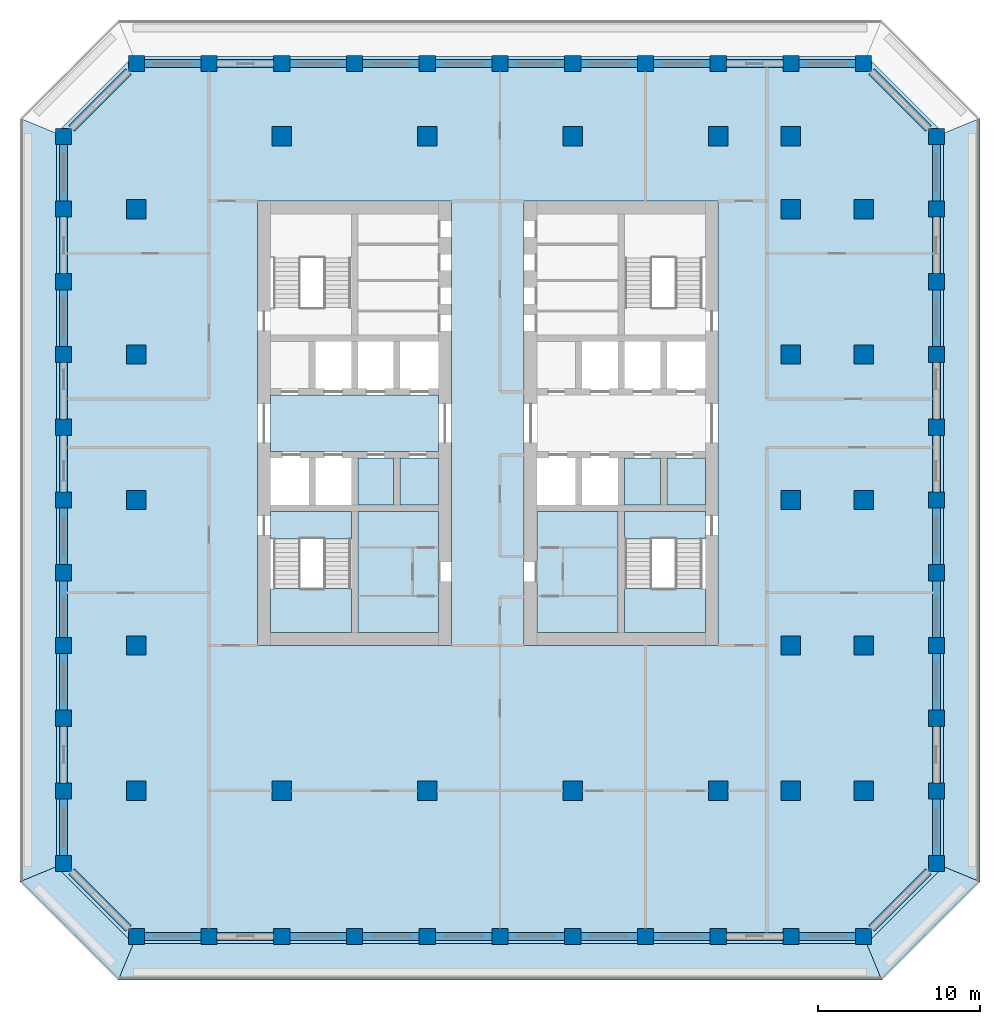
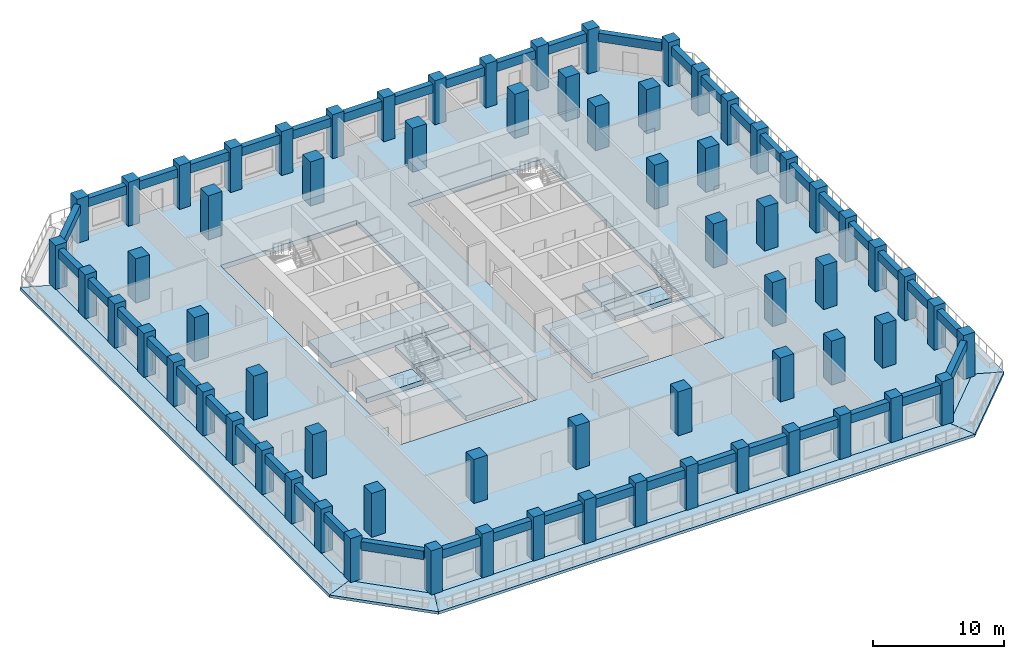
# One storey, part 1 of 16: 68 columns, 44 beams, 17 slabs, 2 elements without a shape of their own.
"""IFC4 building model written with IfcOpenShell, lengths in metres."""

from ifc_helpers import new_model, si_unit, direction, frame, origin, origin_2d, place, context, subcontext, project, spatial, polyline, rectangle, outline, extrude, material, layer, layer_set, material_profile, profile_set, type_object, element, aggregate, save


model = new_model("IFC4")

# Units and contexts
model_context = context("Model", 3, precision=1e-05, world=origin(), true_north=direction((0.0, 1.0)))
body_context = subcontext(model_context, "Body", "Model", "MODEL_VIEW")
ifc_project = project(units=[si_unit("LENGTHUNIT", "METRE"), si_unit("AREAUNIT", "SQUARE_METRE"), si_unit("VOLUMEUNIT", "CUBIC_METRE"), si_unit("PLANEANGLEUNIT", "RADIAN"), si_unit("MASSUNIT", "GRAM", prefix="KILO")], contexts=[model_context])

# Site, building, storey
site_placement = place(None, origin())
site = spatial("IfcSite", under=ifc_project, at=site_placement, CompositionType="ELEMENT")
building_placement = place(site_placement, origin())
building = spatial("IfcBuilding", under=site, at=building_placement, Name="Corbel Stack Research Tower", CompositionType="ELEMENT")
storey_placement = place(building_placement, frame((0.0, 0.0, 195.60009765625)))
storey = spatial("IfcBuildingStorey", under=building, at=storey_placement, Name="L44", CompositionType="ELEMENT", Elevation=195.60009765625)

# Columns
ifc_material_1 = material(Name="Concrete C60/75", Category="concrete")
ifc_material_profile_1 = material_profile(ifc_material_1, rectangle(XDim=1.0, YDim=1.0, at=origin_2d()), Name="RC 1000 x 1000")
ifc_profile_set_1 = profile_set([ifc_material_profile_1], Name="Concrete C60/75")
column_type_1 = type_object("IfcColumnType", Name="C-1000-60", PredefinedType="COLUMN", material=ifc_profile_set_1)
for number, where, z_axis, x_axis, name in (
    (1, (-22.5, -22.5, 0.0), (0.0, 0.0, 1.0), (1.0, 0.0, 0.0), "Column 3/C L44"),
    (2, (-22.5, -18.0, 0.0), (0.0, 0.0, 1.0), (1.0, 0.0, 0.0), "Column 3/D L44"),
    (3, (-22.5, -13.5, 0.0), (0.0, 0.0, 1.0), (1.0, 0.0, 0.0), "Column 3/E L44"),
    (4, (-22.5, -9.0, 0.0), (0.0, 0.0, 1.0), (1.0, 0.0, 0.0), "Column 3/F L44"),
    (5, (-22.5, -4.5, 0.0), (0.0, 0.0, 1.0), (1.0, 0.0, 0.0), "Column 3/G L44"),
    (6, (-22.5, 0.0, 0.0), (0.0, 0.0, 1.0), (1.0, 0.0, 0.0), "Column 3/H L44"),
    (7, (-22.5, 4.5, 0.0), (0.0, 0.0, 1.0), (1.0, 0.0, 0.0), "Column 3/J L44"),
    (8, (-22.5, 9.0, 0.0), (0.0, 0.0, 1.0), (1.0, 0.0, 0.0), "Column 3/K L44"),
    (9, (-22.5, 13.5, 0.0), (0.0, 0.0, 1.0), (1.0, 0.0, 0.0), "Column 3/L L44"),
    (10, (-22.5, 18.0, 0.0), (0.0, 0.0, 1.0), (1.0, 0.0, 0.0), "Column 3/M L44"),
    (11, (-22.5, 22.5, 0.0), (0.0, 0.0, 1.0), (1.0, 0.0, 0.0), "Column 3/N L44"),
    (12, (-18.0, -27.0, 0.0), (0.0, 0.0, 1.0), (1.0, 0.0, 0.0), "Column 4/B L44"),
    (13, (-18.0, 27.0, 0.0), (0.0, 0.0, 1.0), (1.0, 0.0, 0.0), "Column 4/P L44"),
    (14, (-13.5, -27.0, 0.0), (0.0, 0.0, 1.0), (1.0, 0.0, 0.0), "Column 5/B L44"),
    (15, (-13.5, 27.0, 0.0), (0.0, 0.0, 1.0), (1.0, 0.0, 0.0), "Column 5/P L44"),
    (16, (-9.0, -27.0, 0.0), (0.0, 0.0, 1.0), (1.0, 0.0, 0.0), "Column 6/B L44"),
    (17, (-9.0, 27.0, 0.0), (0.0, 0.0, 1.0), (1.0, 0.0, 0.0), "Column 6/P L44"),
    (18, (-4.5, -27.0, 0.0), (0.0, 0.0, 1.0), (1.0, 0.0, 0.0), "Column 7/B L44"),
    (19, (-4.5, 27.0, 0.0), (0.0, 0.0, 1.0), (1.0, 0.0, 0.0), "Column 7/P L44"),
    (20, (0.0, -27.0, 0.0), (0.0, 0.0, 1.0), (1.0, 0.0, 0.0), "Column 8/B L44"),
    (21, (0.0, 27.0, 0.0), (0.0, 0.0, 1.0), (1.0, 0.0, 0.0), "Column 8/P L44"),
    (22, (4.5, -27.0, 0.0), (0.0, 0.0, 1.0), (1.0, 0.0, 0.0), "Column 9/B L44"),
    (23, (4.5, 27.0, 0.0), (0.0, 0.0, 1.0), (1.0, 0.0, 0.0), "Column 9/P L44"),
    (24, (9.0, -27.0, 0.0), (0.0, 0.0, 1.0), (1.0, 0.0, 0.0), "Column 10/B L44"),
    (25, (9.0, 27.0, 0.0), (0.0, 0.0, 1.0), (1.0, 0.0, 0.0), "Column 10/P L44"),
    (26, (13.5, -27.0, 0.0), (0.0, 0.0, 1.0), (1.0, 0.0, 0.0), "Column 11/B L44"),
    (27, (13.5, 27.0, 0.0), (0.0, 0.0, 1.0), (1.0, 0.0, 0.0), "Column 11/P L44"),
    (28, (18.0, -27.0, 0.0), (0.0, 0.0, 1.0), (1.0, 0.0, 0.0), "Column 12/B L44"),
    (29, (18.0, 27.0, 0.0), (0.0, 0.0, 1.0), (1.0, 0.0, 0.0), "Column 12/P L44"),
    (30, (22.5, -27.0, 0.0), (0.0, 0.0, 1.0), (1.0, 0.0, 0.0), "Column 13/B L44"),
    (31, (22.5, 27.0, 0.0), (0.0, 0.0, 1.0), (1.0, 0.0, 0.0), "Column 13/P L44"),
    (32, (27.0, -27.0, 0.0), (0.0, 0.0, 1.0), (1.0, 0.0, 0.0), "Column 14/B L44"),
    (33, (27.0, 27.0, 0.0), (0.0, 0.0, 1.0), (1.0, 0.0, 0.0), "Column 14/P L44"),
    (34, (31.5, -22.5, 0.0), (0.0, 0.0, 1.0), (1.0, 0.0, 0.0), "Column 15/C L44"),
    (35, (31.5, -18.0, 0.0), (0.0, 0.0, 1.0), (1.0, 0.0, 0.0), "Column 15/D L44"),
    (36, (31.5, -13.5, 0.0), (0.0, 0.0, 1.0), (1.0, 0.0, 0.0), "Column 15/E L44"),
    (37, (31.5, -9.0, 0.0), (0.0, 0.0, 1.0), (1.0, 0.0, 0.0), "Column 15/F L44"),
    (38, (31.5, -4.5, 0.0), (0.0, 0.0, 1.0), (1.0, 0.0, 0.0), "Column 15/G L44"),
    (39, (31.5, 0.0, 0.0), (0.0, 0.0, 1.0), (1.0, 0.0, 0.0), "Column 15/H L44"),
    (40, (31.5, 4.5, 0.0), (0.0, 0.0, 1.0), (1.0, 0.0, 0.0), "Column 15/J L44"),
    (41, (31.5, 9.0, 0.0), (0.0, 0.0, 1.0), (1.0, 0.0, 0.0), "Column 15/K L44"),
    (42, (31.5, 13.5, 0.0), (0.0, 0.0, 1.0), (1.0, 0.0, 0.0), "Column 15/L L44"),
    (43, (31.5, 18.0, 0.0), (0.0, 0.0, 1.0), (1.0, 0.0, 0.0), "Column 15/M L44"),
    (44, (31.5, 22.5, 0.0), (0.0, 0.0, 1.0), (1.0, 0.0, 0.0), "Column 15/N L44"),
):
    element("IfcColumn", number, at=place(storey_placement, frame(where, z_axis=z_axis, x_axis=x_axis)), inside=storey, type_object=column_type_1, Name=name, PredefinedType="COLUMN", context=body_context, shape_type="SweptSolid", body=[
        extrude(rectangle(XDim=1.0, YDim=1.0, at=origin_2d()), origin(), (0.0, 0.0, 1.0), 4.099853515625),
    ])
ifc_material_2 = material(Name="Concrete C60/75", Category="concrete")
ifc_material_profile_2 = material_profile(ifc_material_2, rectangle(XDim=1.199951171875, YDim=1.199951171875, at=origin_2d()), Name="RC 1200 x 1200")
ifc_profile_set_2 = profile_set([ifc_material_profile_2], Name="Concrete C60/75")
column_type_2 = type_object("IfcColumnType", Name="C-1200-60", PredefinedType="COLUMN", material=ifc_profile_set_2)
for number, where, z_axis, x_axis, name in (
    (45, (-18.0, -18.0, 0.0), (0.0, 0.0, 1.0), (1.0, 0.0, 0.0), "Column 4/D L44"),
    (46, (-18.0, -9.0, 0.0), (0.0, 0.0, 1.0), (1.0, 0.0, 0.0), "Column 4/F L44"),
    (47, (-18.0, 0.0, 0.0), (0.0, 0.0, 1.0), (1.0, 0.0, 0.0), "Column 4/H L44"),
    (48, (-18.0, 9.0, 0.0), (0.0, 0.0, 1.0), (1.0, 0.0, 0.0), "Column 4/K L44"),
    (49, (-18.0, 18.0, 0.0), (0.0, 0.0, 1.0), (1.0, 0.0, 0.0), "Column 4/M L44"),
    (50, (-9.0, -18.0, 0.0), (0.0, 0.0, 1.0), (1.0, 0.0, 0.0), "Column 6/D L44"),
    (51, (-9.0, 22.5, 0.0), (0.0, 0.0, 1.0), (1.0, 0.0, 0.0), "Column 6/N L44"),
    (52, (0.0, -18.0, 0.0), (0.0, 0.0, 1.0), (1.0, 0.0, 0.0), "Column 8/D L44"),
    (53, (0.0, 22.5, 0.0), (0.0, 0.0, 1.0), (1.0, 0.0, 0.0), "Column 8/N L44"),
    (54, (9.0, -18.0, 0.0), (0.0, 0.0, 1.0), (1.0, 0.0, 0.0), "Column 10/D L44"),
    (55, (9.0, 22.5, 0.0), (0.0, 0.0, 1.0), (1.0, 0.0, 0.0), "Column 10/N L44"),
    (56, (18.0, -18.0, 0.0), (0.0, 0.0, 1.0), (1.0, 0.0, 0.0), "Column 12/D L44"),
    (57, (18.0, 22.5, 0.0), (0.0, 0.0, 1.0), (1.0, 0.0, 0.0), "Column 12/N L44"),
    (58, (22.5, -18.0, 0.0), (0.0, 0.0, 1.0), (1.0, 0.0, 0.0), "Column 13/D L44"),
    (59, (22.5, -9.0, 0.0), (0.0, 0.0, 1.0), (1.0, 0.0, 0.0), "Column 13/F L44"),
    (60, (22.5, 0.0, 0.0), (0.0, 0.0, 1.0), (1.0, 0.0, 0.0), "Column 13/H L44"),
    (61, (22.5, 9.0, 0.0), (0.0, 0.0, 1.0), (1.0, 0.0, 0.0), "Column 13/K L44"),
    (62, (22.5, 18.0, 0.0), (0.0, 0.0, 1.0), (1.0, 0.0, 0.0), "Column 13/M L44"),
    (63, (22.5, 22.5, 0.0), (0.0, 0.0, 1.0), (1.0, 0.0, 0.0), "Column 13/N L44"),
    (64, (27.0, -18.0, 0.0), (0.0, 0.0, 1.0), (1.0, 0.0, 0.0), "Column 14/D L44"),
    (65, (27.0, -9.0, 0.0), (0.0, 0.0, 1.0), (1.0, 0.0, 0.0), "Column 14/F L44"),
    (66, (27.0, 0.0, 0.0), (0.0, 0.0, 1.0), (1.0, 0.0, 0.0), "Column 14/H L44"),
    (67, (27.0, 9.0, 0.0), (0.0, 0.0, 1.0), (1.0, 0.0, 0.0), "Column 14/K L44"),
    (68, (27.0, 18.0, 0.0), (0.0, 0.0, 1.0), (1.0, 0.0, 0.0), "Column 14/M L44"),
):
    element("IfcColumn", number, at=place(storey_placement, frame(where, z_axis=z_axis, x_axis=x_axis)), inside=storey, type_object=column_type_2, Name=name, PredefinedType="COLUMN", context=body_context, shape_type="SweptSolid", body=[
        extrude(rectangle(XDim=1.199951171875, YDim=1.199951171875, at=origin_2d()), origin(), (0.0, 0.0, 1.0), 4.099853515625),
    ])

# Beams
ifc_material_3 = material(Name="Concrete C60/75", Category="concrete")
ifc_material_profile_3 = material_profile(ifc_material_3, rectangle(XDim=0.5, YDim=0.800048828125, at=origin_2d()), Name="RC 500 x 800")
ifc_profile_set_3 = profile_set([ifc_material_profile_3], Name="Concrete C60/75")
beam_type = type_object("IfcBeamType", Name="SB-500-800-450", PredefinedType="SPANDREL", material=ifc_profile_set_3)
for number, where, z_axis, x_axis, name in (
    (69, (-17.5, -27.0, 3.25), (1.0, 0.0, 0.0), (0.0, 1.0, 0.0), "Spandrel beam L44-01"),
    (70, (-13.0, -27.0, 3.25), (1.0, 0.0, 0.0), (0.0, 1.0, 0.0), "Spandrel beam L44-02"),
    (71, (-8.5, -27.0, 3.25), (1.0, 0.0, 0.0), (0.0, 1.0, 0.0), "Spandrel beam L44-03"),
    (72, (-4.0, -27.0, 3.25), (1.0, 0.0, 0.0), (0.0, 1.0, 0.0), "Spandrel beam L44-04"),
    (73, (0.5, -27.0, 3.25), (1.0, 0.0, 0.0), (0.0, 1.0, 0.0), "Spandrel beam L44-05"),
    (74, (5.0, -27.0, 3.25), (1.0, 0.0, 0.0), (0.0, 1.0, 0.0), "Spandrel beam L44-06"),
    (75, (9.5, -27.0, 3.25), (1.0, 0.0, 0.0), (0.0, 1.0, 0.0), "Spandrel beam L44-07"),
    (76, (14.0, -27.0, 3.25), (1.0, 0.0, 0.0), (0.0, 1.0, 0.0), "Spandrel beam L44-08"),
    (77, (18.5, -27.0, 3.25), (1.0, 0.0, 0.0), (0.0, 1.0, 0.0), "Spandrel beam L44-09"),
    (78, (23.0, -27.0, 3.25), (1.0, 0.0, 0.0), (0.0, 1.0, 0.0), "Spandrel beam L44-10"),
):
    element("IfcBeam", number, at=place(storey_placement, frame(where, z_axis=z_axis, x_axis=x_axis)), inside=storey, type_object=beam_type, Name=name, PredefinedType="SPANDREL", context=body_context, shape_type="SweptSolid", body=[
        extrude(rectangle(XDim=0.5, YDim=0.800048828125, at=origin_2d()), origin(), (0.0, 0.0, 1.0), 3.5),
    ])
beam_1_placement = place(storey_placement, frame((27.5, -26.5, 3.25), z_axis=(0.707106781187, 0.707106781187, 0.0), x_axis=(-0.707106781187, 0.707106781187, 0.0)))
element("IfcBeam", 79, at=beam_1_placement, inside=storey, type_object=beam_type, Name="Spandrel beam L44-11", PredefinedType="SPANDREL", context=body_context, shape_type="SweptSolid", body=[
    extrude(rectangle(XDim=0.5, YDim=0.800048828125, at=origin_2d()), origin(), (0.0, 0.0, 1.0), 4.94970703125),
])
for number, where, z_axis, x_axis, name in (
    (80, (31.5, -22.0, 3.25), (0.0, 1.0, 0.0), (-1.0, 0.0, 0.0), "Spandrel beam L44-12"),
    (81, (31.5, -17.5, 3.25), (0.0, 1.0, 0.0), (-1.0, 0.0, 0.0), "Spandrel beam L44-13"),
    (82, (31.5, -13.0, 3.25), (0.0, 1.0, 0.0), (-1.0, 0.0, 0.0), "Spandrel beam L44-14"),
    (83, (31.5, -8.5, 3.25), (0.0, 1.0, 0.0), (-1.0, 0.0, 0.0), "Spandrel beam L44-15"),
    (84, (31.5, -4.0, 3.25), (0.0, 1.0, 0.0), (-1.0, 0.0, 0.0), "Spandrel beam L44-16"),
    (85, (31.5, 0.5, 3.25), (0.0, 1.0, 0.0), (-1.0, 0.0, 0.0), "Spandrel beam L44-17"),
    (86, (31.5, 5.0, 3.25), (0.0, 1.0, 0.0), (-1.0, 0.0, 0.0), "Spandrel beam L44-18"),
    (87, (31.5, 9.5, 3.25), (0.0, 1.0, 0.0), (-1.0, 0.0, 0.0), "Spandrel beam L44-19"),
    (88, (31.5, 14.0, 3.25), (0.0, 1.0, 0.0), (-1.0, 0.0, 0.0), "Spandrel beam L44-20"),
    (89, (31.5, 18.5, 3.25), (0.0, 1.0, 0.0), (-1.0, 0.0, 0.0), "Spandrel beam L44-21"),
):
    element("IfcBeam", number, at=place(storey_placement, frame(where, z_axis=z_axis, x_axis=x_axis)), inside=storey, type_object=beam_type, Name=name, PredefinedType="SPANDREL", context=body_context, shape_type="SweptSolid", body=[
        extrude(rectangle(XDim=0.5, YDim=0.800048828125, at=origin_2d()), origin(), (0.0, 0.0, 1.0), 3.5),
    ])
beam_2_placement = place(storey_placement, frame((31.0, 23.0, 3.25), z_axis=(-0.707106781187, 0.707106781187, 0.0), x_axis=(-0.707106781187, -0.707106781187, 0.0)))
element("IfcBeam", 90, at=beam_2_placement, inside=storey, type_object=beam_type, Name="Spandrel beam L44-22", PredefinedType="SPANDREL", context=body_context, shape_type="SweptSolid", body=[
    extrude(rectangle(XDim=0.5, YDim=0.800048828125, at=origin_2d()), origin(), (0.0, 0.0, 1.0), 4.94970703125),
])
for number, where, z_axis, x_axis, name in (
    (91, (26.5, 27.0, 3.25), (-1.0, 0.0, 0.0), (0.0, -1.0, 0.0), "Spandrel beam L44-23"),
    (92, (22.0, 27.0, 3.25), (-1.0, 0.0, 0.0), (0.0, -1.0, 0.0), "Spandrel beam L44-24"),
    (93, (17.5, 27.0, 3.25), (-1.0, 0.0, 0.0), (0.0, -1.0, 0.0), "Spandrel beam L44-25"),
    (94, (13.0, 27.0, 3.25), (-1.0, 0.0, 0.0), (0.0, -1.0, 0.0), "Spandrel beam L44-26"),
    (95, (8.5, 27.0, 3.25), (-1.0, 0.0, 0.0), (0.0, -1.0, 0.0), "Spandrel beam L44-27"),
    (96, (4.0, 27.0, 3.25), (-1.0, 0.0, 0.0), (0.0, -1.0, 0.0), "Spandrel beam L44-28"),
    (97, (-0.5, 27.0, 3.25), (-1.0, 0.0, 0.0), (0.0, -1.0, 0.0), "Spandrel beam L44-29"),
    (98, (-5.0, 27.0, 3.25), (-1.0, 0.0, 0.0), (0.0, -1.0, 0.0), "Spandrel beam L44-30"),
    (99, (-9.5, 27.0, 3.25), (-1.0, 0.0, 0.0), (0.0, -1.0, 0.0), "Spandrel beam L44-31"),
    (100, (-14.0, 27.0, 3.25), (-1.0, 0.0, 0.0), (0.0, -1.0, 0.0), "Spandrel beam L44-32"),
):
    element("IfcBeam", number, at=place(storey_placement, frame(where, z_axis=z_axis, x_axis=x_axis)), inside=storey, type_object=beam_type, Name=name, PredefinedType="SPANDREL", context=body_context, shape_type="SweptSolid", body=[
        extrude(rectangle(XDim=0.5, YDim=0.800048828125, at=origin_2d()), origin(), (0.0, 0.0, 1.0), 3.5),
    ])
beam_3_placement = place(storey_placement, frame((-18.5, 26.5, 3.25), z_axis=(-0.707106781187, -0.707106781187, 0.0), x_axis=(0.707106781187, -0.707106781187, 0.0)))
element("IfcBeam", 101, at=beam_3_placement, inside=storey, type_object=beam_type, Name="Spandrel beam L44-33", PredefinedType="SPANDREL", context=body_context, shape_type="SweptSolid", body=[
    extrude(rectangle(XDim=0.5, YDim=0.800048828125, at=origin_2d()), origin(), (0.0, 0.0, 1.0), 4.94970703125),
])
for number, where, z_axis, x_axis, name in (
    (102, (-22.5, 22.0, 3.25), (0.0, -1.0, 0.0), (1.0, 0.0, 0.0), "Spandrel beam L44-34"),
    (103, (-22.5, 17.5, 3.25), (0.0, -1.0, 0.0), (1.0, 0.0, 0.0), "Spandrel beam L44-35"),
    (104, (-22.5, 13.0, 3.25), (0.0, -1.0, 0.0), (1.0, 0.0, 0.0), "Spandrel beam L44-36"),
    (105, (-22.5, 8.5, 3.25), (0.0, -1.0, 0.0), (1.0, 0.0, 0.0), "Spandrel beam L44-37"),
    (106, (-22.5, 4.0, 3.25), (0.0, -1.0, 0.0), (1.0, 0.0, 0.0), "Spandrel beam L44-38"),
    (107, (-22.5, -0.5, 3.25), (0.0, -1.0, 0.0), (1.0, 0.0, 0.0), "Spandrel beam L44-39"),
    (108, (-22.5, -5.0, 3.25), (0.0, -1.0, 0.0), (1.0, 0.0, 0.0), "Spandrel beam L44-40"),
    (109, (-22.5, -9.5, 3.25), (0.0, -1.0, 0.0), (1.0, 0.0, 0.0), "Spandrel beam L44-41"),
    (110, (-22.5, -14.0, 3.25), (0.0, -1.0, 0.0), (1.0, 0.0, 0.0), "Spandrel beam L44-42"),
    (111, (-22.5, -18.5, 3.25), (0.0, -1.0, 0.0), (1.0, 0.0, 0.0), "Spandrel beam L44-43"),
):
    element("IfcBeam", number, at=place(storey_placement, frame(where, z_axis=z_axis, x_axis=x_axis)), inside=storey, type_object=beam_type, Name=name, PredefinedType="SPANDREL", context=body_context, shape_type="SweptSolid", body=[
        extrude(rectangle(XDim=0.5, YDim=0.800048828125, at=origin_2d()), origin(), (0.0, 0.0, 1.0), 3.5),
    ])
beam_4_placement = place(storey_placement, frame((-22.0, -23.0, 3.25), z_axis=(0.707106781187, -0.707106781187, 0.0), x_axis=(0.707106781187, 0.707106781187, 0.0)))
element("IfcBeam", 112, at=beam_4_placement, inside=storey, type_object=beam_type, Name="Spandrel beam L44-44", PredefinedType="SPANDREL", context=body_context, shape_type="SweptSolid", body=[
    extrude(rectangle(XDim=0.5, YDim=0.800048828125, at=origin_2d()), origin(), (0.0, 0.0, 1.0), 4.94970703125),
])

# Slabs
ifc_material_4 = material(Name="Concrete C45/55", Category="concrete")
ifc_layer_1 = layer(ifc_material_4, 0.25)
ifc_layer_set_1 = layer_set([ifc_layer_1], Name="Concrete C45/55")
slab_type_1 = type_object("IfcSlabType", Name="PT balcony slab 250 C45/55", PredefinedType="FLOOR", material=ifc_layer_set_1)
slab_1_placement = place(storey_placement, frame((0.0, 0.0, -0.25)))
element("IfcSlab", 113, at=slab_1_placement, inside=storey, type_object=slab_type_1, Name="Loggia slab L44 S", PredefinedType="FLOOR", context=body_context, shape_type="SweptSolid", body=[
    extrude(outline(polyline([(27.20703125, -27.5), (26.5, -27.5), (26.5, -27.449951171875), (23.0, -27.449951171875), (23.0, -27.5), (22.0, -27.5), (22.0, -27.449951171875), (18.5, -27.449951171875), (18.5, -27.5), (17.5, -27.5), (17.5, -27.449951171875), (14.0, -27.449951171875), (14.0, -27.5), (13.0, -27.5), (13.0, -27.449951171875), (9.5, -27.449951171875), (9.5, -27.5), (8.5, -27.5), (8.5, -27.449951171875), (5.0, -27.449951171875), (5.0, -27.5), (4.0, -27.5), (4.0, -27.449951171875), (0.5, -27.449951171875), (0.5, -27.5), (-0.5, -27.5), (-0.5, -27.449951171875), (-4.0, -27.449951171875), (-4.0, -27.5), (-5.0, -27.5), (-5.0, -27.449951171875), (-8.5, -27.449951171875), (-8.5, -27.5), (-9.5, -27.5), (-9.5, -27.449951171875), (-13.0, -27.449951171875), (-13.0, -27.5), (-14.0, -27.5), (-14.0, -27.449951171875), (-17.5, -27.449951171875), (-17.5, -27.5), (-18.20703125, -27.5), (-19.118408203125, -29.699951171875), (28.118408203125, -29.699951171875), (27.20703125, -27.5)])), origin(), (0.0, 0.0, 1.0), 0.25),
])
slab_2_placement = place(storey_placement, frame((0.0, 0.0, -0.25)))
element("IfcSlab", 114, at=slab_2_placement, inside=storey, type_object=slab_type_1, Name="Loggia slab L44 SE", PredefinedType="FLOOR", context=body_context, shape_type="SweptSolid", body=[
    extrude(outline(polyline([(32.0, -22.70703125), (32.0, -23.0), (31.636474609375, -23.0), (27.5, -27.136474609375), (27.5, -27.5), (27.20703125, -27.5), (28.118408203125, -29.699951171875), (34.199951171875, -23.618408203125), (32.0, -22.70703125)])), origin(), (0.0, 0.0, 1.0), 0.25),
])
slab_3_placement = place(storey_placement, frame((0.0, 0.0, -0.25)))
element("IfcSlab", 115, at=slab_3_placement, inside=storey, type_object=slab_type_1, Name="Loggia slab L44 E", PredefinedType="FLOOR", context=body_context, shape_type="SweptSolid", body=[
    extrude(outline(polyline([(32.0, 22.70703125), (32.0, 22.0), (31.949951171875, 22.0), (31.949951171875, 18.5), (32.0, 18.5), (32.0, 17.5), (31.949951171875, 17.5), (31.949951171875, 14.0), (32.0, 14.0), (32.0, 13.0), (31.949951171875, 13.0), (31.949951171875, 9.5), (32.0, 9.5), (32.0, 8.5), (31.949951171875, 8.5), (31.949951171875, 5.0), (32.0, 5.0), (32.0, 4.0), (31.949951171875, 4.0), (31.949951171875, 0.5), (32.0, 0.5), (32.0, -0.5), (31.949951171875, -0.5), (31.949951171875, -4.0), (32.0, -4.0), (32.0, -5.0), (31.949951171875, -5.0), (31.949951171875, -8.5), (32.0, -8.5), (32.0, -9.5), (31.949951171875, -9.5), (31.949951171875, -13.0), (32.0, -13.0), (32.0, -14.0), (31.949951171875, -14.0), (31.949951171875, -17.5), (32.0, -17.5), (32.0, -18.5), (31.949951171875, -18.5), (31.949951171875, -22.0), (32.0, -22.0), (32.0, -22.70703125), (34.199951171875, -23.618408203125), (34.199951171875, 23.618408203125), (32.0, 22.70703125)])), origin(), (0.0, 0.0, 1.0), 0.25),
])
slab_4_placement = place(storey_placement, frame((0.0, 0.0, -0.25)))
element("IfcSlab", 116, at=slab_4_placement, inside=storey, type_object=slab_type_1, Name="Loggia slab L44 W", PredefinedType="FLOOR", context=body_context, shape_type="SweptSolid", body=[
    extrude(outline(polyline([(-23.0, -22.70703125), (-23.0, -22.0), (-22.949951171875, -22.0), (-22.949951171875, -18.5), (-23.0, -18.5), (-23.0, -17.5), (-22.949951171875, -17.5), (-22.949951171875, -14.0), (-23.0, -14.0), (-23.0, -13.0), (-22.949951171875, -13.0), (-22.949951171875, -9.5), (-23.0, -9.5), (-23.0, -8.5), (-22.949951171875, -8.5), (-22.949951171875, -5.0), (-23.0, -5.0), (-23.0, -4.0), (-22.949951171875, -4.0), (-22.949951171875, -0.5), (-23.0, -0.5), (-23.0, 0.5), (-22.949951171875, 0.5), (-22.949951171875, 4.0), (-23.0, 4.0), (-23.0, 5.0), (-22.949951171875, 5.0), (-22.949951171875, 8.5), (-23.0, 8.5), (-23.0, 9.5), (-22.949951171875, 9.5), (-22.949951171875, 13.0), (-23.0, 13.0), (-23.0, 14.0), (-22.949951171875, 14.0), (-22.949951171875, 17.5), (-23.0, 17.5), (-23.0, 18.5), (-22.949951171875, 18.5), (-22.949951171875, 22.0), (-23.0, 22.0), (-23.0, 22.70703125), (-25.199951171875, 23.618408203125), (-25.199951171875, -23.618408203125), (-23.0, -22.70703125)])), origin(), (0.0, 0.0, 1.0), 0.25),
])
slab_5_placement = place(storey_placement, frame((0.0, 0.0, -0.25)))
element("IfcSlab", 117, at=slab_5_placement, inside=storey, type_object=slab_type_1, Name="Loggia slab L44 SW", PredefinedType="FLOOR", context=body_context, shape_type="SweptSolid", body=[
    extrude(outline(polyline([(-18.20703125, -27.5), (-18.5, -27.5), (-18.5, -27.136474609375), (-22.636474609375, -23.0), (-23.0, -23.0), (-23.0, -22.70703125), (-25.199951171875, -23.618408203125), (-19.118408203125, -29.699951171875), (-18.20703125, -27.5)])), origin(), (0.0, 0.0, 1.0), 0.25),
])
ifc_material_5 = material(Name="Concrete C45/55", Category="concrete")
ifc_layer_2 = layer(ifc_material_5, 0.449951171875)
ifc_layer_set_2 = layer_set([ifc_layer_2], Name="Concrete C45/55")
slab_type_2 = type_object("IfcSlabType", Name="PT-450", PredefinedType="FLOOR", material=ifc_layer_set_2)
slab_6_placement = place(storey_placement, frame((0.0, 0.0, -0.4501953125)))
element("IfcSlab", 118, at=slab_6_placement, inside=storey, type_object=slab_type_2, Name="Floor slab L44", PredefinedType="FLOOR", context=body_context, shape_type="SweptSolid", body=[
    extrude(outline(polyline([(-18.186279296875, -27.449951171875), (27.186279296875, -27.449951171875), (31.949951171875, -22.686279296875), (31.949951171875, 22.686279296875), (27.186279296875, 27.449951171875), (-18.186279296875, 27.449951171875), (-22.949951171875, 22.686279296875), (-22.949951171875, -22.686279296875), (-18.186279296875, -27.449951171875)]), holes=[polyline([(26.39990234375, 17.39990234375), (26.39990234375, 18.60009765625), (27.60009765625, 18.60009765625), (27.60009765625, 17.39990234375), (26.39990234375, 17.39990234375)]), polyline([(26.39990234375, 8.39990234375), (26.39990234375, 9.60009765625), (27.60009765625, 9.60009765625), (27.60009765625, 8.39990234375), (26.39990234375, 8.39990234375)]), polyline([(27.60009765625, -0.60009765625), (26.39990234375, -0.60009765625), (26.39990234375, 0.60009765625), (27.60009765625, 0.60009765625), (27.60009765625, -0.60009765625)]), polyline([(26.39990234375, -9.60009765625), (26.39990234375, -8.39990234375), (27.60009765625, -8.39990234375), (27.60009765625, -9.60009765625), (26.39990234375, -9.60009765625)]), polyline([(26.39990234375, -18.60009765625), (26.39990234375, -17.39990234375), (27.60009765625, -17.39990234375), (27.60009765625, -18.60009765625), (26.39990234375, -18.60009765625)]), polyline([(21.89990234375, 21.89990234375), (21.89990234375, 23.10009765625), (23.10009765625, 23.10009765625), (23.10009765625, 21.89990234375), (21.89990234375, 21.89990234375)]), polyline([(21.89990234375, 17.39990234375), (21.89990234375, 18.60009765625), (23.10009765625, 18.60009765625), (23.10009765625, 17.39990234375), (21.89990234375, 17.39990234375)]), polyline([(21.89990234375, 8.39990234375), (21.89990234375, 9.60009765625), (23.10009765625, 9.60009765625), (23.10009765625, 8.39990234375), (21.89990234375, 8.39990234375)]), polyline([(21.89990234375, -0.60009765625), (21.89990234375, 0.60009765625), (23.10009765625, 0.60009765625), (23.10009765625, -0.60009765625), (21.89990234375, -0.60009765625)]), polyline([(23.10009765625, -9.60009765625), (21.89990234375, -9.60009765625), (21.89990234375, -8.39990234375), (23.10009765625, -8.39990234375), (23.10009765625, -9.60009765625)]), polyline([(21.89990234375, -18.60009765625), (21.89990234375, -17.39990234375), (23.10009765625, -17.39990234375), (23.10009765625, -18.60009765625), (21.89990234375, -18.60009765625)]), polyline([(17.39990234375, 21.89990234375), (17.39990234375, 23.10009765625), (18.60009765625, 23.10009765625), (18.60009765625, 21.89990234375), (17.39990234375, 21.89990234375)]), polyline([(18.60009765625, -18.60009765625), (17.39990234375, -18.60009765625), (17.39990234375, -17.39990234375), (18.60009765625, -17.39990234375), (18.60009765625, -18.60009765625)]), polyline([(6.0, -9.0), (6.0, 18.5), (18.0, 18.5), (18.0, -9.0), (6.0, -9.0)]), polyline([(8.39990234375, 21.89990234375), (8.39990234375, 23.10009765625), (9.60009765625, 23.10009765625), (9.60009765625, 21.89990234375), (8.39990234375, 21.89990234375)]), polyline([(9.60009765625, -18.60009765625), (8.39990234375, -18.60009765625), (8.39990234375, -17.39990234375), (9.60009765625, -17.39990234375), (9.60009765625, -18.60009765625)]), polyline([(1.5, -9.0), (-10.5, -9.0), (-10.5, 18.5), (1.5, 18.5), (1.5, -9.0)]), polyline([(-0.60009765625, 21.89990234375), (-0.60009765625, 23.10009765625), (0.60009765625, 23.10009765625), (0.60009765625, 21.89990234375), (-0.60009765625, 21.89990234375)]), polyline([(-0.60009765625, -18.60009765625), (-0.60009765625, -17.39990234375), (0.60009765625, -17.39990234375), (0.60009765625, -18.60009765625), (-0.60009765625, -18.60009765625)]), polyline([(-9.60009765625, 21.89990234375), (-9.60009765625, 23.10009765625), (-8.39990234375, 23.10009765625), (-8.39990234375, 21.89990234375), (-9.60009765625, 21.89990234375)]), polyline([(-9.60009765625, -18.60009765625), (-9.60009765625, -17.39990234375), (-8.39990234375, -17.39990234375), (-8.39990234375, -18.60009765625), (-9.60009765625, -18.60009765625)]), polyline([(-18.60009765625, 17.39990234375), (-18.60009765625, 18.60009765625), (-17.39990234375, 18.60009765625), (-17.39990234375, 17.39990234375), (-18.60009765625, 17.39990234375)]), polyline([(-18.60009765625, 8.39990234375), (-18.60009765625, 9.60009765625), (-17.39990234375, 9.60009765625), (-17.39990234375, 8.39990234375), (-18.60009765625, 8.39990234375)]), polyline([(-18.60009765625, -0.60009765625), (-18.60009765625, 0.60009765625), (-17.39990234375, 0.60009765625), (-17.39990234375, -0.60009765625), (-18.60009765625, -0.60009765625)]), polyline([(-18.60009765625, -9.60009765625), (-18.60009765625, -8.39990234375), (-17.39990234375, -8.39990234375), (-17.39990234375, -9.60009765625), (-18.60009765625, -9.60009765625)]), polyline([(-17.39990234375, -18.60009765625), (-18.60009765625, -18.60009765625), (-18.60009765625, -17.39990234375), (-17.39990234375, -17.39990234375), (-17.39990234375, -18.60009765625)])]), origin(), (0.0, 0.0, 1.0), 0.4501953125),
])
slab_7_placement = place(storey_placement, frame((0.0, 0.0, -0.4501953125)))
element("IfcSlab", 119, at=slab_7_placement, inside=storey, type_object=slab_type_2, Name="West core floor L44", PredefinedType="FLOOR", context=body_context, shape_type="SweptSolid", body=[
    extrude(outline(polyline([(0.699951171875, 6.5), (-9.699951171875, 6.5), (-9.699951171875, 3.0), (0.699951171875, 3.0), (0.699951171875, 6.5)])), origin(), (0.0, 0.0, 1.0), 0.4501953125),
])
slab_8_placement = place(storey_placement, frame((0.0, 0.0, -0.4501953125)))
element("IfcSlab", 120, at=slab_8_placement, inside=storey, type_object=slab_type_2, Name="West core floor L44", PredefinedType="FLOOR", context=body_context, shape_type="SweptSolid", body=[
    extrude(outline(polyline([(-4.300048828125, -0.699951171875), (-4.300048828125, -8.199951171875), (0.699951171875, -8.199951171875), (0.699951171875, -0.699951171875), (-4.300048828125, -0.699951171875)])), origin(), (0.0, 0.0, 1.0), 0.4501953125),
])
slab_9_placement = place(storey_placement, frame((0.0, 0.0, -0.4501953125)))
element("IfcSlab", 121, at=slab_9_placement, inside=storey, type_object=slab_type_2, Name="West core floor L44", PredefinedType="FLOOR", context=body_context, shape_type="SweptSolid", body=[
    extrude(outline(polyline([(-2.074951171875, -0.300048828125), (-2.074951171875, 2.60009765625), (-4.300048828125, 2.60009765625), (-4.300048828125, -0.300048828125), (-2.074951171875, -0.300048828125)])), origin(), (0.0, 0.0, 1.0), 0.4501953125),
])
slab_10_placement = place(storey_placement, frame((0.0, 0.0, -0.4501953125)))
element("IfcSlab", 122, at=slab_10_placement, inside=storey, type_object=slab_type_2, Name="West core floor L44", PredefinedType="FLOOR", context=body_context, shape_type="SweptSolid", body=[
    extrude(outline(polyline([(0.699951171875, -0.300048828125), (0.699951171875, 2.60009765625), (-1.675048828125, 2.60009765625), (-1.675048828125, -0.300048828125), (0.699951171875, -0.300048828125)])), origin(), (0.0, 0.0, 1.0), 0.4501953125),
])
slab_11_placement = place(storey_placement, frame((0.0, 0.0, -0.4501953125)))
element("IfcSlab", 123, at=slab_11_placement, inside=storey, type_object=slab_type_2, Name="East core floor L44", PredefinedType="FLOOR", context=body_context, shape_type="SweptSolid", body=[
    extrude(outline(polyline([(6.800048828125, -0.699951171875), (6.800048828125, -8.199951171875), (11.800048828125, -8.199951171875), (11.800048828125, -0.699951171875), (6.800048828125, -0.699951171875)])), origin(), (0.0, 0.0, 1.0), 0.4501953125),
])
slab_12_placement = place(storey_placement, frame((0.0, 0.0, -0.4501953125)))
element("IfcSlab", 124, at=slab_12_placement, inside=storey, type_object=slab_type_2, Name="East core floor L44", PredefinedType="FLOOR", context=body_context, shape_type="SweptSolid", body=[
    extrude(outline(polyline([(14.425048828125, -0.300048828125), (14.425048828125, 2.60009765625), (12.199951171875, 2.60009765625), (12.199951171875, -0.300048828125), (14.425048828125, -0.300048828125)])), origin(), (0.0, 0.0, 1.0), 0.4501953125),
])
slab_13_placement = place(storey_placement, frame((0.0, 0.0, -0.4501953125)))
element("IfcSlab", 125, at=slab_13_placement, inside=storey, type_object=slab_type_2, Name="East core floor L44", PredefinedType="FLOOR", context=body_context, shape_type="SweptSolid", body=[
    extrude(outline(polyline([(17.199951171875, -0.300048828125), (17.199951171875, 2.60009765625), (14.824951171875, 2.60009765625), (14.824951171875, -0.300048828125), (17.199951171875, -0.300048828125)])), origin(), (0.0, 0.0, 1.0), 0.4501953125),
])
slab_14_placement = place(storey_placement, frame((0.0, 0.0, -0.4501953125)))
element("IfcSlab", 126, at=slab_14_placement, inside=storey, type_object=slab_type_2, Name="Stair floor landing ST-W1", PredefinedType="FLOOR", context=body_context, shape_type="SweptSolid", body=[
    extrude(outline(polyline([(-9.699951171875, -2.39990234375), (-4.699951171875, -2.39990234375), (-4.699951171875, -0.699951171875), (-9.699951171875, -0.699951171875), (-9.699951171875, -2.39990234375)])), origin(), (0.0, 0.0, 1.0), 0.4501953125),
])
slab_15_placement = place(storey_placement, frame((0.0, 0.0, -0.4501953125)))
element("IfcSlab", 127, at=slab_15_placement, inside=storey, type_object=slab_type_2, Name="Stair floor landing ST-E1", PredefinedType="FLOOR", context=body_context, shape_type="SweptSolid", body=[
    extrude(outline(polyline([(12.199951171875, -2.39990234375), (17.199951171875, -2.39990234375), (17.199951171875, -0.699951171875), (12.199951171875, -0.699951171875), (12.199951171875, -2.39990234375)])), origin(), (0.0, 0.0, 1.0), 0.4501953125),
])

# Stair, slab
ifc_material_6 = material(Name="Concrete C40/50", Category="concrete")
stair_type = type_object("IfcStairType", Name="Exit stair 24 risers", PredefinedType="HALF_TURN_STAIR", material=ifc_material_6)
stair_1_placement = place(storey_placement, origin())
stair_1 = element("IfcStair", 128, at=stair_1_placement, inside=storey, type_object=stair_type, Name="L44 Exit stair ST-W1", PredefinedType="HALF_TURN_STAIR")
ifc_material_7 = material(Name="Concrete C40/50", Category="concrete")
ifc_layer_3 = layer(ifc_material_7, 0.199951171875)
ifc_layer_set_3 = layer_set([ifc_layer_3], Name="Concrete C40/50")
slab_type_3 = type_object("IfcSlabType", Name="Stair landing 200 C40/50", PredefinedType="LANDING", material=ifc_layer_set_3)
slab_16_placement = place(storey_placement, frame((0.0, 0.0, 1.849853515625)))
slab_16 = element("IfcSlab", 129, at=slab_16_placement, type_object=slab_type_3, Name="ST-W1 landing 1", PredefinedType="LANDING", context=body_context, shape_type="SweptSolid", body=[
    extrude(outline(polyline([(-9.699951171875, -8.199951171875), (-9.699951171875, -5.47998046875), (-4.699951171875, -5.47998046875), (-4.699951171875, -8.199951171875), (-9.699951171875, -8.199951171875)])), origin(), (0.0, 0.0, 1.0), 0.199951171875),
])
aggregate(stair_1, [slab_16])

stair_2_placement = place(storey_placement, origin())
stair_2 = element("IfcStair", 130, at=stair_2_placement, inside=storey, type_object=stair_type, Name="L44 Exit stair ST-E1", PredefinedType="HALF_TURN_STAIR")
slab_17_placement = place(storey_placement, frame((0.0, 0.0, 1.849853515625)))
slab_17 = element("IfcSlab", 131, at=slab_17_placement, type_object=slab_type_3, Name="ST-E1 landing 1", PredefinedType="LANDING", context=body_context, shape_type="SweptSolid", body=[
    extrude(outline(polyline([(12.199951171875, -8.199951171875), (12.199951171875, -5.47998046875), (17.199951171875, -5.47998046875), (17.199951171875, -8.199951171875), (12.199951171875, -8.199951171875)])), origin(), (0.0, 0.0, 1.0), 0.199951171875),
])
aggregate(stair_2, [slab_17])

save(model, "model.ifc")
